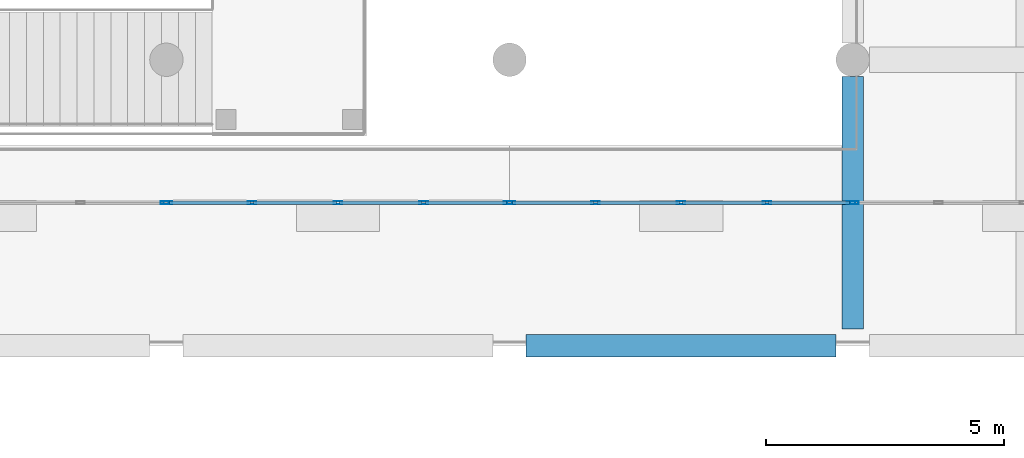
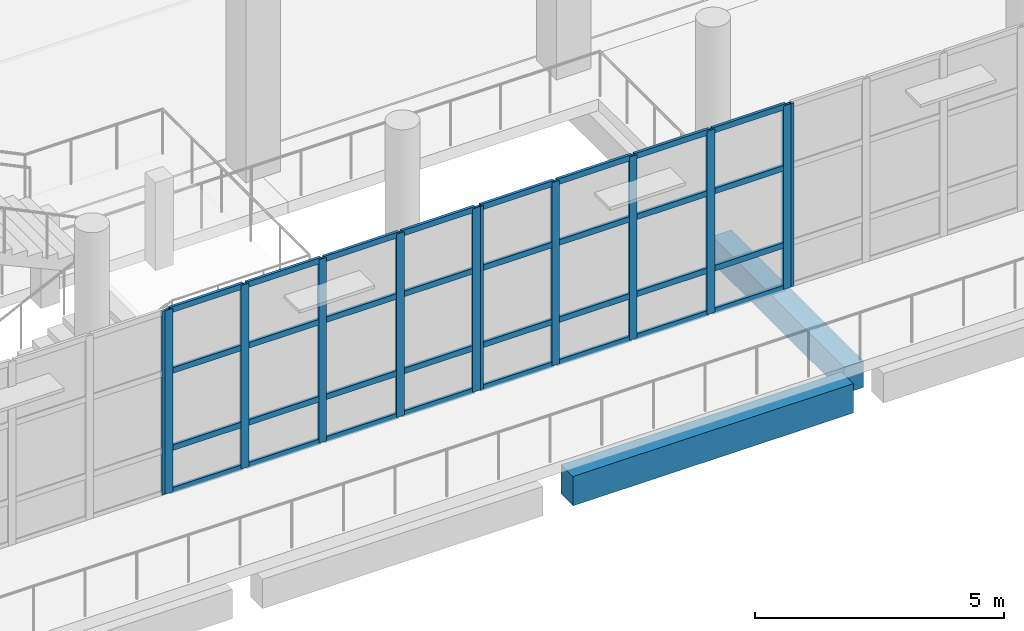
# One storey, part 14 of 79: 44 members, 2 beams, 4 elements without a shape of their own.
"""IFC4 building model written with IfcOpenShell, lengths in metres."""

from ifc_helpers import new_model, si_unit, direction, frame, origin, origin_2d, place, context, subcontext, project, spatial, rectangle, hollow_rectangle, extrude, material, material_profile, profile_set, type_object, element, aggregate, save


model = new_model("IFC4")

# Units and contexts
model_context = context("Model", 3, precision=1e-05, world=origin(), true_north=direction((0.0, 1.0)))
body_context = subcontext(model_context, "Body", "Model", "MODEL_VIEW")
ifc_project = project(units=[si_unit("LENGTHUNIT", "METRE"), si_unit("AREAUNIT", "SQUARE_METRE"), si_unit("VOLUMEUNIT", "CUBIC_METRE"), si_unit("PLANEANGLEUNIT", "RADIAN"), si_unit("MASSUNIT", "GRAM", prefix="KILO")], contexts=[model_context])

# Site, building, storey
site_placement = place(None, origin())
site = spatial("IfcSite", under=ifc_project, at=site_placement, CompositionType="ELEMENT")
building_placement = place(site_placement, origin())
building = spatial("IfcBuilding", under=site, at=building_placement, Name="Pellamere Symphony Hall", CompositionType="ELEMENT")
storey_placement = place(building_placement, frame((0.0, 0.0, 10.199951171875)))
storey = spatial("IfcBuildingStorey", under=building, at=storey_placement, Name="L02", CompositionType="ELEMENT", Elevation=10.199951171875)

# Curtain wall, member
ifc_material_1 = material(Name="Thermally Broken Anodised Aluminium 6063-T6 Curtain Wall", Category="aluminium")
curtain_wall_type = type_object("IfcCurtainWallType", Name="Curtain Wall CW-02 (Winter-Garden South Concourse Curtain Wall)", PredefinedType="NOTDEFINED", material=ifc_material_1)
curtain_wall_1_placement = place(storey_placement, origin())
curtain_wall_1 = element("IfcCurtainWall", 1, at=curtain_wall_1_placement, inside=storey, type_object=curtain_wall_type, Name="Winter-Garden South Curtain Wall (L02 Bay 5)", PredefinedType="NOTDEFINED")
ifc_material_2 = material(Name="Anodised Architectural Aluminium 6063-T6", Category="aluminium")
ifc_material_profile_1 = material_profile(ifc_material_2, hollow_rectangle(XDim=0.06494140625, YDim=0.179931640625, WallThickness=0.00390625, at=origin_2d()), Name="ALU-M65X180X4")
ifc_profile_set_1 = profile_set([ifc_material_profile_1], Name="Anodised Architectural Aluminium 6063-T6")
member_type_1 = type_object("IfcMemberType", Name="Curtain Wall Mullion ML-02 ALU-M65X180X4", PredefinedType="MULLION", material=ifc_profile_set_1)
member_1_placement = place(storey_placement, frame((80.367431640625, 21.0, 0.0), z_axis=(0.0, 0.0, 1.0), x_axis=(0.0, 1.0, 0.0)))
member_1 = element("IfcMember", 2, at=member_1_placement, type_object=member_type_1, Name="CW2-080 crystal mullion 5", PredefinedType="MULLION", context=body_context, shape_type="SweptSolid", body=[
    extrude(hollow_rectangle(XDim=0.06494140625, YDim=0.179931640625, WallThickness=0.00390625, at=origin_2d()), origin(), (0.0, 0.0, 1.0), 4.5),
])
aggregate(curtain_wall_1, [member_1])

# Curtain wall, members
curtain_wall_2_placement = place(storey_placement, origin())
curtain_wall_2 = element("IfcCurtainWall", 3, at=curtain_wall_2_placement, inside=storey, type_object=curtain_wall_type, Name="Winter-Garden South Curtain Wall (L02 Bay 6)", PredefinedType="NOTDEFINED")
member_2_placement = place(storey_placement, frame((80.4326171875, 21.0, 0.0), z_axis=(0.0, 0.0, 1.0), x_axis=(0.0, 1.0, 0.0)))
member_2 = element("IfcMember", 4, at=member_2_placement, type_object=member_type_1, Name="CW2-081 crystal mullion 1", PredefinedType="MULLION", context=body_context, shape_type="SweptSolid", body=[
    extrude(hollow_rectangle(XDim=0.06494140625, YDim=0.179931640625, WallThickness=0.00390625, at=origin_2d()), origin(), (0.0, 0.0, 1.0), 4.5),
])
member_3_placement = place(storey_placement, frame((82.199951171875, 21.0, 0.0), z_axis=(0.0, 0.0, 1.0), x_axis=(0.0, 1.0, 0.0)))
member_3 = element("IfcMember", 5, at=member_3_placement, type_object=member_type_1, Name="CW2-081 crystal mullion 2", PredefinedType="MULLION", context=body_context, shape_type="SweptSolid", body=[
    extrude(hollow_rectangle(XDim=0.06494140625, YDim=0.179931640625, WallThickness=0.00390625, at=origin_2d()), origin(), (0.0, 0.0, 1.0), 4.5),
])
member_4_placement = place(storey_placement, frame((84.0, 21.0, 0.0), z_axis=(0.0, 0.0, 1.0), x_axis=(0.0, 1.0, 0.0)))
member_4 = element("IfcMember", 6, at=member_4_placement, type_object=member_type_1, Name="CW2-081 crystal mullion 3", PredefinedType="MULLION", context=body_context, shape_type="SweptSolid", body=[
    extrude(hollow_rectangle(XDim=0.06494140625, YDim=0.179931640625, WallThickness=0.00390625, at=origin_2d()), origin(), (0.0, 0.0, 1.0), 4.5),
])
member_5_placement = place(storey_placement, frame((85.800048828125, 21.0, 0.0), z_axis=(0.0, 0.0, 1.0), x_axis=(0.0, 1.0, 0.0)))
member_5 = element("IfcMember", 7, at=member_5_placement, type_object=member_type_1, Name="CW2-081 crystal mullion 4", PredefinedType="MULLION", context=body_context, shape_type="SweptSolid", body=[
    extrude(hollow_rectangle(XDim=0.06494140625, YDim=0.179931640625, WallThickness=0.00390625, at=origin_2d()), origin(), (0.0, 0.0, 1.0), 4.5),
])
member_6_placement = place(storey_placement, frame((87.5673828125, 21.0, 0.0), z_axis=(0.0, 0.0, 1.0), x_axis=(0.0, 1.0, 0.0)))
member_6 = element("IfcMember", 8, at=member_6_placement, type_object=member_type_1, Name="CW2-081 crystal mullion 5", PredefinedType="MULLION", context=body_context, shape_type="SweptSolid", body=[
    extrude(hollow_rectangle(XDim=0.06494140625, YDim=0.179931640625, WallThickness=0.00390625, at=origin_2d()), origin(), (0.0, 0.0, 1.0), 4.5),
])

curtain_wall_3_placement = place(storey_placement, origin())
curtain_wall_3 = element("IfcCurtainWall", 9, at=curtain_wall_3_placement, inside=storey, type_object=curtain_wall_type, Name="Winter-Garden South Curtain Wall (L02 Bay 7)", PredefinedType="NOTDEFINED")
member_7_placement = place(storey_placement, frame((87.632568359375, 21.0, 0.0), z_axis=(0.0, 0.0, 1.0), x_axis=(0.0, 1.0, 0.0)))
member_7 = element("IfcMember", 10, at=member_7_placement, type_object=member_type_1, Name="CW2-082 crystal mullion 1", PredefinedType="MULLION", context=body_context, shape_type="SweptSolid", body=[
    extrude(hollow_rectangle(XDim=0.06494140625, YDim=0.179931640625, WallThickness=0.00390625, at=origin_2d()), origin(), (0.0, 0.0, 1.0), 4.5),
])
member_8_placement = place(storey_placement, frame((89.39990234375, 21.0, 0.0), z_axis=(0.0, 0.0, 1.0), x_axis=(0.0, 1.0, 0.0)))
member_8 = element("IfcMember", 11, at=member_8_placement, type_object=member_type_1, Name="CW2-082 crystal mullion 2", PredefinedType="MULLION", context=body_context, shape_type="SweptSolid", body=[
    extrude(hollow_rectangle(XDim=0.06494140625, YDim=0.179931640625, WallThickness=0.00390625, at=origin_2d()), origin(), (0.0, 0.0, 1.0), 4.5),
])
member_9_placement = place(storey_placement, frame((91.199951171875, 21.0, 0.0), z_axis=(0.0, 0.0, 1.0), x_axis=(0.0, 1.0, 0.0)))
member_9 = element("IfcMember", 12, at=member_9_placement, type_object=member_type_1, Name="CW2-082 crystal mullion 3", PredefinedType="MULLION", context=body_context, shape_type="SweptSolid", body=[
    extrude(hollow_rectangle(XDim=0.06494140625, YDim=0.179931640625, WallThickness=0.00390625, at=origin_2d()), origin(), (0.0, 0.0, 1.0), 4.5),
])
member_10_placement = place(storey_placement, frame((93.0, 21.0, 0.0), z_axis=(0.0, 0.0, 1.0), x_axis=(0.0, 1.0, 0.0)))
member_10 = element("IfcMember", 13, at=member_10_placement, type_object=member_type_1, Name="CW2-082 crystal mullion 4", PredefinedType="MULLION", context=body_context, shape_type="SweptSolid", body=[
    extrude(hollow_rectangle(XDim=0.06494140625, YDim=0.179931640625, WallThickness=0.00390625, at=origin_2d()), origin(), (0.0, 0.0, 1.0), 4.5),
])
member_11_placement = place(storey_placement, frame((94.767578125, 21.0, 0.0), z_axis=(0.0, 0.0, 1.0), x_axis=(0.0, 1.0, 0.0)))
member_11 = element("IfcMember", 14, at=member_11_placement, type_object=member_type_1, Name="CW2-082 crystal mullion 5", PredefinedType="MULLION", context=body_context, shape_type="SweptSolid", body=[
    extrude(hollow_rectangle(XDim=0.06494140625, YDim=0.179931640625, WallThickness=0.00390625, at=origin_2d()), origin(), (0.0, 0.0, 1.0), 4.5),
])

# Curtain wall, member
curtain_wall_4_placement = place(storey_placement, origin())
curtain_wall_4 = element("IfcCurtainWall", 15, at=curtain_wall_4_placement, inside=storey, type_object=curtain_wall_type, Name="Winter-Garden South Curtain Wall (L02 Bay 8)", PredefinedType="NOTDEFINED")
member_12_placement = place(storey_placement, frame((94.83251953125, 21.0, 0.0), z_axis=(0.0, 0.0, 1.0), x_axis=(0.0, 1.0, 0.0)))
member_12 = element("IfcMember", 16, at=member_12_placement, type_object=member_type_1, Name="CW2-083 crystal mullion 1", PredefinedType="MULLION", context=body_context, shape_type="SweptSolid", body=[
    extrude(hollow_rectangle(XDim=0.06494140625, YDim=0.179931640625, WallThickness=0.00390625, at=origin_2d()), origin(), (0.0, 0.0, 1.0), 4.5),
])
aggregate(curtain_wall_4, [member_12])

# Member
ifc_material_profile_2 = material_profile(ifc_material_2, hollow_rectangle(XDim=0.06494140625, YDim=0.139892578125, WallThickness=0.00390625, at=origin_2d()), Name="ALU-T65X140X4")
ifc_profile_set_2 = profile_set([ifc_material_profile_2], Name="Anodised Architectural Aluminium 6063-T6")
member_type_2 = type_object("IfcMemberType", Name="Curtain Wall Transom TR-02 ALU-T65X140X4", PredefinedType="USERDEFINED", material=ifc_profile_set_2)
member_13_placement = place(storey_placement, frame((80.465087890625, 21.0, 0.032470703125), z_axis=(1.0, 0.0, 0.0), x_axis=(0.0, 1.0, 0.0)))
member_13 = element("IfcMember", 17, at=member_13_placement, type_object=member_type_2, Name="CW2-081 crystal transom 1.1", ObjectType="TRANSOM", PredefinedType="USERDEFINED", context=body_context, shape_type="SweptSolid", body=[
    extrude(hollow_rectangle(XDim=0.06494140625, YDim=0.139892578125, WallThickness=0.00390625, at=origin_2d()), origin(), (0.0, 0.0, 1.0), 1.702392578125),
])

member_14_placement = place(storey_placement, frame((80.465087890625, 21.0, 1.080078125), z_axis=(1.0, 0.0, 0.0), x_axis=(0.0, 1.0, 0.0)))
member_14 = element("IfcMember", 18, at=member_14_placement, type_object=member_type_2, Name="CW2-081 crystal transom 1.2", ObjectType="TRANSOM", PredefinedType="USERDEFINED", context=body_context, shape_type="SweptSolid", body=[
    extrude(hollow_rectangle(XDim=0.06494140625, YDim=0.139892578125, WallThickness=0.00390625, at=origin_2d()), origin(), (0.0, 0.0, 1.0), 1.702392578125),
])

member_15_placement = place(storey_placement, frame((80.465087890625, 21.0, 2.969970703125), z_axis=(1.0, 0.0, 0.0), x_axis=(0.0, 1.0, 0.0)))
member_15 = element("IfcMember", 19, at=member_15_placement, type_object=member_type_2, Name="CW2-081 crystal transom 1.3", ObjectType="TRANSOM", PredefinedType="USERDEFINED", context=body_context, shape_type="SweptSolid", body=[
    extrude(hollow_rectangle(XDim=0.06494140625, YDim=0.139892578125, WallThickness=0.00390625, at=origin_2d()), origin(), (0.0, 0.0, 1.0), 1.702392578125),
])

member_16_placement = place(storey_placement, frame((80.465087890625, 21.0, 4.467529296875), z_axis=(1.0, 0.0, 0.0), x_axis=(0.0, 1.0, 0.0)))
member_16 = element("IfcMember", 20, at=member_16_placement, type_object=member_type_2, Name="CW2-081 crystal transom 1.4", ObjectType="TRANSOM", PredefinedType="USERDEFINED", context=body_context, shape_type="SweptSolid", body=[
    extrude(hollow_rectangle(XDim=0.06494140625, YDim=0.139892578125, WallThickness=0.00390625, at=origin_2d()), origin(), (0.0, 0.0, 1.0), 1.702392578125),
])

member_17_placement = place(storey_placement, frame((82.232421875, 21.0, 0.032470703125), z_axis=(1.0, 0.0, 0.0), x_axis=(0.0, 1.0, 0.0)))
member_17 = element("IfcMember", 21, at=member_17_placement, type_object=member_type_2, Name="CW2-081 crystal transom 2.1", ObjectType="TRANSOM", PredefinedType="USERDEFINED", context=body_context, shape_type="SweptSolid", body=[
    extrude(hollow_rectangle(XDim=0.06494140625, YDim=0.139892578125, WallThickness=0.00390625, at=origin_2d()), origin(), (0.0, 0.0, 1.0), 1.735107421875),
])

member_18_placement = place(storey_placement, frame((82.232421875, 21.0, 1.080078125), z_axis=(1.0, 0.0, 0.0), x_axis=(0.0, 1.0, 0.0)))
member_18 = element("IfcMember", 22, at=member_18_placement, type_object=member_type_2, Name="CW2-081 crystal transom 2.2", ObjectType="TRANSOM", PredefinedType="USERDEFINED", context=body_context, shape_type="SweptSolid", body=[
    extrude(hollow_rectangle(XDim=0.06494140625, YDim=0.139892578125, WallThickness=0.00390625, at=origin_2d()), origin(), (0.0, 0.0, 1.0), 1.735107421875),
])

member_19_placement = place(storey_placement, frame((82.232421875, 21.0, 2.969970703125), z_axis=(1.0, 0.0, 0.0), x_axis=(0.0, 1.0, 0.0)))
member_19 = element("IfcMember", 23, at=member_19_placement, type_object=member_type_2, Name="CW2-081 crystal transom 2.3", ObjectType="TRANSOM", PredefinedType="USERDEFINED", context=body_context, shape_type="SweptSolid", body=[
    extrude(hollow_rectangle(XDim=0.06494140625, YDim=0.139892578125, WallThickness=0.00390625, at=origin_2d()), origin(), (0.0, 0.0, 1.0), 1.735107421875),
])

member_20_placement = place(storey_placement, frame((82.232421875, 21.0, 4.467529296875), z_axis=(1.0, 0.0, 0.0), x_axis=(0.0, 1.0, 0.0)))
member_20 = element("IfcMember", 24, at=member_20_placement, type_object=member_type_2, Name="CW2-081 crystal transom 2.4", ObjectType="TRANSOM", PredefinedType="USERDEFINED", context=body_context, shape_type="SweptSolid", body=[
    extrude(hollow_rectangle(XDim=0.06494140625, YDim=0.139892578125, WallThickness=0.00390625, at=origin_2d()), origin(), (0.0, 0.0, 1.0), 1.735107421875),
])

member_21_placement = place(storey_placement, frame((84.032470703125, 21.0, 0.032470703125), z_axis=(1.0, 0.0, 0.0), x_axis=(0.0, 1.0, 0.0)))
member_21 = element("IfcMember", 25, at=member_21_placement, type_object=member_type_2, Name="CW2-081 crystal transom 3.1", ObjectType="TRANSOM", PredefinedType="USERDEFINED", context=body_context, shape_type="SweptSolid", body=[
    extrude(hollow_rectangle(XDim=0.06494140625, YDim=0.139892578125, WallThickness=0.00390625, at=origin_2d()), origin(), (0.0, 0.0, 1.0), 1.735107421875),
])

member_22_placement = place(storey_placement, frame((84.032470703125, 21.0, 1.080078125), z_axis=(1.0, 0.0, 0.0), x_axis=(0.0, 1.0, 0.0)))
member_22 = element("IfcMember", 26, at=member_22_placement, type_object=member_type_2, Name="CW2-081 crystal transom 3.2", ObjectType="TRANSOM", PredefinedType="USERDEFINED", context=body_context, shape_type="SweptSolid", body=[
    extrude(hollow_rectangle(XDim=0.06494140625, YDim=0.139892578125, WallThickness=0.00390625, at=origin_2d()), origin(), (0.0, 0.0, 1.0), 1.735107421875),
])

member_23_placement = place(storey_placement, frame((84.032470703125, 21.0, 2.969970703125), z_axis=(1.0, 0.0, 0.0), x_axis=(0.0, 1.0, 0.0)))
member_23 = element("IfcMember", 27, at=member_23_placement, type_object=member_type_2, Name="CW2-081 crystal transom 3.3", ObjectType="TRANSOM", PredefinedType="USERDEFINED", context=body_context, shape_type="SweptSolid", body=[
    extrude(hollow_rectangle(XDim=0.06494140625, YDim=0.139892578125, WallThickness=0.00390625, at=origin_2d()), origin(), (0.0, 0.0, 1.0), 1.735107421875),
])

member_24_placement = place(storey_placement, frame((84.032470703125, 21.0, 4.467529296875), z_axis=(1.0, 0.0, 0.0), x_axis=(0.0, 1.0, 0.0)))
member_24 = element("IfcMember", 28, at=member_24_placement, type_object=member_type_2, Name="CW2-081 crystal transom 3.4", ObjectType="TRANSOM", PredefinedType="USERDEFINED", context=body_context, shape_type="SweptSolid", body=[
    extrude(hollow_rectangle(XDim=0.06494140625, YDim=0.139892578125, WallThickness=0.00390625, at=origin_2d()), origin(), (0.0, 0.0, 1.0), 1.735107421875),
])

member_25_placement = place(storey_placement, frame((85.83251953125, 21.0, 0.032470703125), z_axis=(1.0, 0.0, 0.0), x_axis=(0.0, 1.0, 0.0)))
member_25 = element("IfcMember", 29, at=member_25_placement, type_object=member_type_2, Name="CW2-081 crystal transom 4.1", ObjectType="TRANSOM", PredefinedType="USERDEFINED", context=body_context, shape_type="SweptSolid", body=[
    extrude(hollow_rectangle(XDim=0.06494140625, YDim=0.139892578125, WallThickness=0.00390625, at=origin_2d()), origin(), (0.0, 0.0, 1.0), 1.702392578125),
])

member_26_placement = place(storey_placement, frame((85.83251953125, 21.0, 1.080078125), z_axis=(1.0, 0.0, 0.0), x_axis=(0.0, 1.0, 0.0)))
member_26 = element("IfcMember", 30, at=member_26_placement, type_object=member_type_2, Name="CW2-081 crystal transom 4.2", ObjectType="TRANSOM", PredefinedType="USERDEFINED", context=body_context, shape_type="SweptSolid", body=[
    extrude(hollow_rectangle(XDim=0.06494140625, YDim=0.139892578125, WallThickness=0.00390625, at=origin_2d()), origin(), (0.0, 0.0, 1.0), 1.702392578125),
])

member_27_placement = place(storey_placement, frame((85.83251953125, 21.0, 2.969970703125), z_axis=(1.0, 0.0, 0.0), x_axis=(0.0, 1.0, 0.0)))
member_27 = element("IfcMember", 31, at=member_27_placement, type_object=member_type_2, Name="CW2-081 crystal transom 4.3", ObjectType="TRANSOM", PredefinedType="USERDEFINED", context=body_context, shape_type="SweptSolid", body=[
    extrude(hollow_rectangle(XDim=0.06494140625, YDim=0.139892578125, WallThickness=0.00390625, at=origin_2d()), origin(), (0.0, 0.0, 1.0), 1.702392578125),
])

member_28_placement = place(storey_placement, frame((85.83251953125, 21.0, 4.467529296875), z_axis=(1.0, 0.0, 0.0), x_axis=(0.0, 1.0, 0.0)))
member_28 = element("IfcMember", 32, at=member_28_placement, type_object=member_type_2, Name="CW2-081 crystal transom 4.4", ObjectType="TRANSOM", PredefinedType="USERDEFINED", context=body_context, shape_type="SweptSolid", body=[
    extrude(hollow_rectangle(XDim=0.06494140625, YDim=0.139892578125, WallThickness=0.00390625, at=origin_2d()), origin(), (0.0, 0.0, 1.0), 1.702392578125),
])

aggregate(curtain_wall_2, [member_2, member_3, member_4, member_5, member_6, member_13, member_14, member_15, member_16, member_17, member_18, member_19, member_20, member_21, member_22, member_23, member_24, member_25, member_26, member_27, member_28])

member_29_placement = place(storey_placement, frame((87.6650390625, 21.0, 0.032470703125), z_axis=(1.0, 0.0, 0.0), x_axis=(0.0, 1.0, 0.0)))
member_29 = element("IfcMember", 33, at=member_29_placement, type_object=member_type_2, Name="CW2-082 crystal transom 1.1", ObjectType="TRANSOM", PredefinedType="USERDEFINED", context=body_context, shape_type="SweptSolid", body=[
    extrude(hollow_rectangle(XDim=0.06494140625, YDim=0.139892578125, WallThickness=0.00390625, at=origin_2d()), origin(), (0.0, 0.0, 1.0), 1.702392578125),
])

member_30_placement = place(storey_placement, frame((87.6650390625, 21.0, 1.080078125), z_axis=(1.0, 0.0, 0.0), x_axis=(0.0, 1.0, 0.0)))
member_30 = element("IfcMember", 34, at=member_30_placement, type_object=member_type_2, Name="CW2-082 crystal transom 1.2", ObjectType="TRANSOM", PredefinedType="USERDEFINED", context=body_context, shape_type="SweptSolid", body=[
    extrude(hollow_rectangle(XDim=0.06494140625, YDim=0.139892578125, WallThickness=0.00390625, at=origin_2d()), origin(), (0.0, 0.0, 1.0), 1.702392578125),
])

member_31_placement = place(storey_placement, frame((87.6650390625, 21.0, 2.969970703125), z_axis=(1.0, 0.0, 0.0), x_axis=(0.0, 1.0, 0.0)))
member_31 = element("IfcMember", 35, at=member_31_placement, type_object=member_type_2, Name="CW2-082 crystal transom 1.3", ObjectType="TRANSOM", PredefinedType="USERDEFINED", context=body_context, shape_type="SweptSolid", body=[
    extrude(hollow_rectangle(XDim=0.06494140625, YDim=0.139892578125, WallThickness=0.00390625, at=origin_2d()), origin(), (0.0, 0.0, 1.0), 1.702392578125),
])

member_32_placement = place(storey_placement, frame((87.6650390625, 21.0, 4.467529296875), z_axis=(1.0, 0.0, 0.0), x_axis=(0.0, 1.0, 0.0)))
member_32 = element("IfcMember", 36, at=member_32_placement, type_object=member_type_2, Name="CW2-082 crystal transom 1.4", ObjectType="TRANSOM", PredefinedType="USERDEFINED", context=body_context, shape_type="SweptSolid", body=[
    extrude(hollow_rectangle(XDim=0.06494140625, YDim=0.139892578125, WallThickness=0.00390625, at=origin_2d()), origin(), (0.0, 0.0, 1.0), 1.702392578125),
])

member_33_placement = place(storey_placement, frame((89.4326171875, 21.0, 0.032470703125), z_axis=(1.0, 0.0, 0.0), x_axis=(0.0, 1.0, 0.0)))
member_33 = element("IfcMember", 37, at=member_33_placement, type_object=member_type_2, Name="CW2-082 crystal transom 2.1", ObjectType="TRANSOM", PredefinedType="USERDEFINED", context=body_context, shape_type="SweptSolid", body=[
    extrude(hollow_rectangle(XDim=0.06494140625, YDim=0.139892578125, WallThickness=0.00390625, at=origin_2d()), origin(), (0.0, 0.0, 1.0), 1.73486328125),
])

member_34_placement = place(storey_placement, frame((89.4326171875, 21.0, 1.080078125), z_axis=(1.0, 0.0, 0.0), x_axis=(0.0, 1.0, 0.0)))
member_34 = element("IfcMember", 38, at=member_34_placement, type_object=member_type_2, Name="CW2-082 crystal transom 2.2", ObjectType="TRANSOM", PredefinedType="USERDEFINED", context=body_context, shape_type="SweptSolid", body=[
    extrude(hollow_rectangle(XDim=0.06494140625, YDim=0.139892578125, WallThickness=0.00390625, at=origin_2d()), origin(), (0.0, 0.0, 1.0), 1.73486328125),
])

member_35_placement = place(storey_placement, frame((89.4326171875, 21.0, 2.969970703125), z_axis=(1.0, 0.0, 0.0), x_axis=(0.0, 1.0, 0.0)))
member_35 = element("IfcMember", 39, at=member_35_placement, type_object=member_type_2, Name="CW2-082 crystal transom 2.3", ObjectType="TRANSOM", PredefinedType="USERDEFINED", context=body_context, shape_type="SweptSolid", body=[
    extrude(hollow_rectangle(XDim=0.06494140625, YDim=0.139892578125, WallThickness=0.00390625, at=origin_2d()), origin(), (0.0, 0.0, 1.0), 1.73486328125),
])

member_36_placement = place(storey_placement, frame((89.4326171875, 21.0, 4.467529296875), z_axis=(1.0, 0.0, 0.0), x_axis=(0.0, 1.0, 0.0)))
member_36 = element("IfcMember", 40, at=member_36_placement, type_object=member_type_2, Name="CW2-082 crystal transom 2.4", ObjectType="TRANSOM", PredefinedType="USERDEFINED", context=body_context, shape_type="SweptSolid", body=[
    extrude(hollow_rectangle(XDim=0.06494140625, YDim=0.139892578125, WallThickness=0.00390625, at=origin_2d()), origin(), (0.0, 0.0, 1.0), 1.73486328125),
])

member_37_placement = place(storey_placement, frame((91.232421875, 21.0, 0.032470703125), z_axis=(1.0, 0.0, 0.0), x_axis=(0.0, 1.0, 0.0)))
member_37 = element("IfcMember", 41, at=member_37_placement, type_object=member_type_2, Name="CW2-082 crystal transom 3.1", ObjectType="TRANSOM", PredefinedType="USERDEFINED", context=body_context, shape_type="SweptSolid", body=[
    extrude(hollow_rectangle(XDim=0.06494140625, YDim=0.139892578125, WallThickness=0.00390625, at=origin_2d()), origin(), (0.0, 0.0, 1.0), 1.735107421875),
])

member_38_placement = place(storey_placement, frame((91.232421875, 21.0, 1.080078125), z_axis=(1.0, 0.0, 0.0), x_axis=(0.0, 1.0, 0.0)))
member_38 = element("IfcMember", 42, at=member_38_placement, type_object=member_type_2, Name="CW2-082 crystal transom 3.2", ObjectType="TRANSOM", PredefinedType="USERDEFINED", context=body_context, shape_type="SweptSolid", body=[
    extrude(hollow_rectangle(XDim=0.06494140625, YDim=0.139892578125, WallThickness=0.00390625, at=origin_2d()), origin(), (0.0, 0.0, 1.0), 1.735107421875),
])

member_39_placement = place(storey_placement, frame((91.232421875, 21.0, 2.969970703125), z_axis=(1.0, 0.0, 0.0), x_axis=(0.0, 1.0, 0.0)))
member_39 = element("IfcMember", 43, at=member_39_placement, type_object=member_type_2, Name="CW2-082 crystal transom 3.3", ObjectType="TRANSOM", PredefinedType="USERDEFINED", context=body_context, shape_type="SweptSolid", body=[
    extrude(hollow_rectangle(XDim=0.06494140625, YDim=0.139892578125, WallThickness=0.00390625, at=origin_2d()), origin(), (0.0, 0.0, 1.0), 1.735107421875),
])

member_40_placement = place(storey_placement, frame((91.232421875, 21.0, 4.467529296875), z_axis=(1.0, 0.0, 0.0), x_axis=(0.0, 1.0, 0.0)))
member_40 = element("IfcMember", 44, at=member_40_placement, type_object=member_type_2, Name="CW2-082 crystal transom 3.4", ObjectType="TRANSOM", PredefinedType="USERDEFINED", context=body_context, shape_type="SweptSolid", body=[
    extrude(hollow_rectangle(XDim=0.06494140625, YDim=0.139892578125, WallThickness=0.00390625, at=origin_2d()), origin(), (0.0, 0.0, 1.0), 1.735107421875),
])

member_41_placement = place(storey_placement, frame((93.032470703125, 21.0, 0.032470703125), z_axis=(1.0, 0.0, 0.0), x_axis=(0.0, 1.0, 0.0)))
member_41 = element("IfcMember", 45, at=member_41_placement, type_object=member_type_2, Name="CW2-082 crystal transom 4.1", ObjectType="TRANSOM", PredefinedType="USERDEFINED", context=body_context, shape_type="SweptSolid", body=[
    extrude(hollow_rectangle(XDim=0.06494140625, YDim=0.139892578125, WallThickness=0.00390625, at=origin_2d()), origin(), (0.0, 0.0, 1.0), 1.70263671875),
])

member_42_placement = place(storey_placement, frame((93.032470703125, 21.0, 1.080078125), z_axis=(1.0, 0.0, 0.0), x_axis=(0.0, 1.0, 0.0)))
member_42 = element("IfcMember", 46, at=member_42_placement, type_object=member_type_2, Name="CW2-082 crystal transom 4.2", ObjectType="TRANSOM", PredefinedType="USERDEFINED", context=body_context, shape_type="SweptSolid", body=[
    extrude(hollow_rectangle(XDim=0.06494140625, YDim=0.139892578125, WallThickness=0.00390625, at=origin_2d()), origin(), (0.0, 0.0, 1.0), 1.70263671875),
])

member_43_placement = place(storey_placement, frame((93.032470703125, 21.0, 2.969970703125), z_axis=(1.0, 0.0, 0.0), x_axis=(0.0, 1.0, 0.0)))
member_43 = element("IfcMember", 47, at=member_43_placement, type_object=member_type_2, Name="CW2-082 crystal transom 4.3", ObjectType="TRANSOM", PredefinedType="USERDEFINED", context=body_context, shape_type="SweptSolid", body=[
    extrude(hollow_rectangle(XDim=0.06494140625, YDim=0.139892578125, WallThickness=0.00390625, at=origin_2d()), origin(), (0.0, 0.0, 1.0), 1.70263671875),
])

member_44_placement = place(storey_placement, frame((93.032470703125, 21.0, 4.467529296875), z_axis=(1.0, 0.0, 0.0), x_axis=(0.0, 1.0, 0.0)))
member_44 = element("IfcMember", 48, at=member_44_placement, type_object=member_type_2, Name="CW2-082 crystal transom 4.4", ObjectType="TRANSOM", PredefinedType="USERDEFINED", context=body_context, shape_type="SweptSolid", body=[
    extrude(hollow_rectangle(XDim=0.06494140625, YDim=0.139892578125, WallThickness=0.00390625, at=origin_2d()), origin(), (0.0, 0.0, 1.0), 1.70263671875),
])

aggregate(curtain_wall_3, [member_7, member_8, member_9, member_10, member_11, member_29, member_30, member_31, member_32, member_33, member_34, member_35, member_36, member_37, member_38, member_39, member_40, member_41, member_42, member_43, member_44])

# Beams
ifc_material_3 = material(Name="Concrete 40 MPa", Category="concrete")
ifc_material_profile_3 = material_profile(ifc_material_3, rectangle(XDim=0.449951171875, YDim=0.64990234375, at=origin_2d()), Name="RC 450x650")
ifc_profile_set_3 = profile_set([ifc_material_profile_3], Name="Concrete 40 MPa")
beam_type_1 = type_object("IfcBeamType", Name="RC CB-08 450x650", PredefinedType="BEAM", material=ifc_profile_set_3)
beam_1_placement = place(storey_placement, frame((94.800048828125, 18.35009765625, -0.60498046875), z_axis=(0.0, 1.0, 0.0), x_axis=(-1.0, 0.0, 0.0)))
element("IfcBeam", 49, at=beam_1_placement, inside=storey, type_object=beam_type_1, Name="Girder CB-08-Y1295 (L02)", PredefinedType="BEAM", context=body_context, shape_type="SweptSolid", body=[
    extrude(rectangle(XDim=0.449951171875, YDim=0.64990234375, at=origin_2d()), origin(), (0.0, 0.0, 1.0), 5.2998046875),
])
ifc_material_profile_4 = material_profile(ifc_material_3, rectangle(XDim=0.47998046875, YDim=0.719970703125, at=origin_2d()), Name="RC 480x720")
ifc_profile_set_4 = profile_set([ifc_material_profile_4], Name="Concrete 40 MPa")
beam_type_2 = type_object("IfcBeamType", Name="RC CB-14 480x720", PredefinedType="SPANDREL", material=ifc_profile_set_4)
beam_2_placement = place(storey_placement, frame((87.949951171875, 18.0, -0.639892578125), z_axis=(1.0, 0.0, 0.0), x_axis=(0.0, 1.0, 0.0)))
element("IfcBeam", 50, at=beam_2_placement, inside=storey, type_object=beam_type_2, Name="Girder CB-14-X1046 (L02)", PredefinedType="SPANDREL", context=body_context, shape_type="SweptSolid", body=[
    extrude(rectangle(XDim=0.47998046875, YDim=0.719970703125, at=origin_2d()), origin(), (0.0, 0.0, 1.0), 6.5),
])

save(model, "model.ifc")
